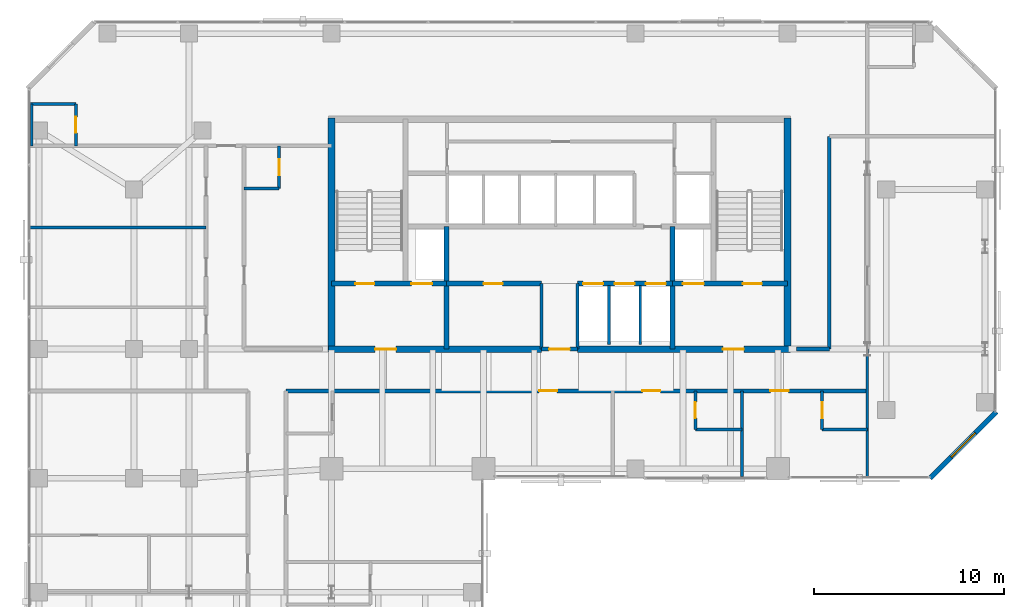
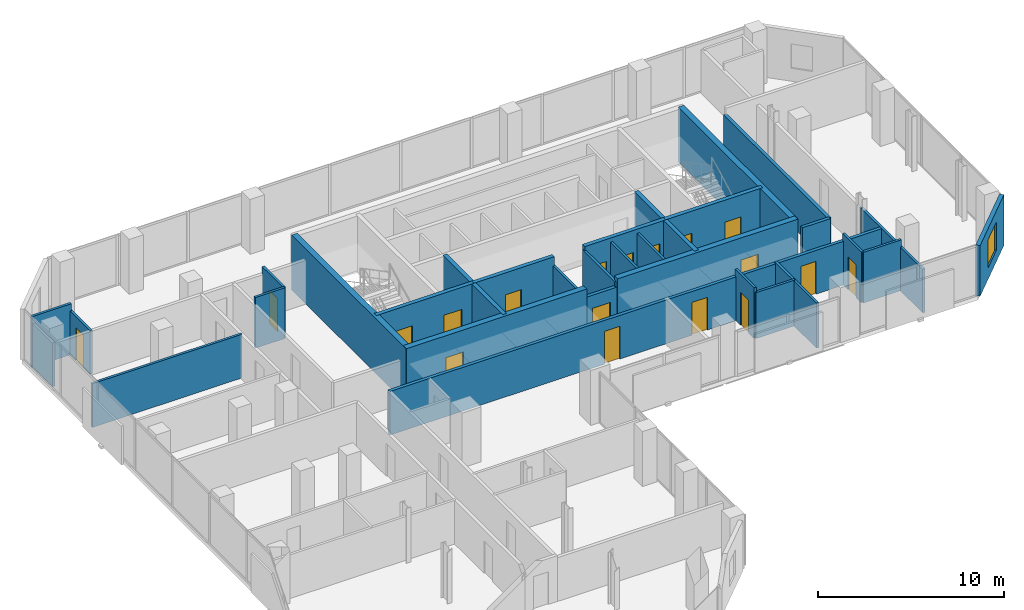
# One storey, part 29 of 34: 31 walls, 18 doors, 1 window, 19 openings.
"""IFC4 building model written with IfcOpenShell, lengths in metres."""

from ifc_helpers import new_model, si_unit, direction, frame, frame_2d, origin, place, context, subcontext, project, spatial, rectangle, extrude, material, layer, layer_set, type_object, element, fill, save


model = new_model("IFC4")

# Units and contexts
model_context = context("Model", 3, precision=1e-05, world=origin(), true_north=direction((0.0, 1.0)))
body_context = subcontext(model_context, "Body", "Model", "MODEL_VIEW")
ifc_project = project(units=[si_unit("LENGTHUNIT", "METRE"), si_unit("AREAUNIT", "SQUARE_METRE"), si_unit("VOLUMEUNIT", "CUBIC_METRE"), si_unit("PLANEANGLEUNIT", "RADIAN"), si_unit("MASSUNIT", "GRAM", prefix="KILO")], contexts=[model_context])

# Site, building, storey
site_placement = place(None, origin())
site = spatial("IfcSite", under=ifc_project, at=site_placement, CompositionType="ELEMENT")
building_placement = place(site_placement, origin())
building = spatial("IfcBuilding", under=site, at=building_placement, Name="Catumbela Crestline Tower", CompositionType="ELEMENT")
storey_placement = place(building_placement, frame((0.0, 0.0, 111.6)))
storey = spatial("IfcBuildingStorey", under=building, at=storey_placement, Name="L28", CompositionType="ELEMENT", Elevation=111.6)

# Walls
ifc_material_1 = material(Name="Concrete C50/60", Category="concrete")
ifc_layer_1 = layer(ifc_material_1, 0.25, Name="Concrete C50/60")
ifc_layer_set_1 = layer_set([ifc_layer_1], Name="Concrete C50/60")
wall_type_1 = type_object("IfcWallType", Name="CW-250D", PredefinedType="SHEAR", material=ifc_layer_set_1)
for number, where, z_axis, x_axis, name in (
    (1, (22.05, 30.8, 0.0), (0.0, 0.0, 1.0), (0.0, 1.0, 0.0), "L28 Structural Core Shear Wall FFW"),
    (2, (33.95, 30.8, 0.0), (0.0, 0.0, 1.0), (0.0, 1.0, 0.0), "L28 Structural Core Shear Wall FFE"),
):
    element("IfcWall", number, at=place(storey_placement, frame(where, z_axis=z_axis, x_axis=x_axis)), inside=storey, type_object=wall_type_1, Name=name, PredefinedType="SHEAR", context=body_context, shape_type="SweptSolid", body=[
        extrude(rectangle(XDim=6.45, YDim=0.25, at=frame_2d((3.225, 0.0))), origin(), (0.0, 0.0, 1.0), 3.6),
    ])

# Wall, openings, doors
wall_1_placement = place(storey_placement, frame((16.0, 34.25, 0.0), z_axis=(0.0, 0.0, 1.0), x_axis=(1.0, 0.0, 0.0)))
wall_1 = element("IfcWall", 3, at=wall_1_placement, inside=storey, type_object=wall_type_1, Name="L28 Structural Core Shear Wall ST1S", PredefinedType="SHEAR", context=body_context, shape_type="SweptSolid", body=[
    extrude(rectangle(XDim=6.05, YDim=0.25, at=frame_2d((3.025, 0.0))), origin(), (0.0, 0.0, 1.0), 3.6),
])
opening_1_placement = place(wall_1_placement, frame((1.25, 0.0, 0.0)))
opening_1 = element("IfcOpeningElement", 4, at=opening_1_placement, cuts=wall_1, Name="Opening DF9-100", PredefinedType="OPENING", context=body_context, shape_type="SweptSolid", body=[
    extrude(rectangle(XDim=1.0, YDim=2.15, at=frame_2d((0.5, 1.075))), frame((0.0, 0.135, 0.0), z_axis=(0.0, -1.0, 0.0), x_axis=(1.0, 0.0, 0.0)), (0.0, 0.0, 1.0), 0.27),
])
opening_2_placement = place(wall_1_placement, frame((4.2, 0.0, 0.0)))
opening_2 = element("IfcOpeningElement", 5, at=opening_2_placement, cuts=wall_1, Name="Opening LD-110", PredefinedType="OPENING", context=body_context, shape_type="SweptSolid", body=[
    extrude(rectangle(XDim=1.1, YDim=2.15, at=frame_2d((0.55, 1.075))), frame((0.0, 0.135, 0.0), z_axis=(0.0, -1.0, 0.0), x_axis=(1.0, 0.0, 0.0)), (0.0, 0.0, 1.0), 0.27),
])
ifc_material_2 = material(Name="Stainless steel EN 1.4401", Category="steel")
door_type_1 = type_object("IfcDoorType", Name="DF9-100", OperationType="NOTDEFINED", PredefinedType="DOOR", material=ifc_material_2)
door_1_placement = place(opening_1_placement, origin())
door_1 = element("IfcDoor", 6, at=door_1_placement, inside=storey, type_object=door_type_1, Name="L28 Interior Door DR-L28-ST01", OperationType="SINGLE_SWING_LEFT", OverallHeight=2.15, OverallWidth=1.0, PredefinedType="DOOR", context=body_context, shape_type="SweptSolid", body=[
    extrude(rectangle(XDim=1.0, YDim=2.15, at=frame_2d((0.5, 1.075))), frame((0.0, 0.025, 0.0), z_axis=(0.0, -1.0, 0.0), x_axis=(1.0, 0.0, 0.0)), (0.0, 0.0, 1.0), 0.05),
])
fill(opening_1, door_1)
door_type_2 = type_object("IfcDoorType", Name="LD-110", OperationType="NOTDEFINED", PredefinedType="DOOR", material=ifc_material_2)
door_2_placement = place(opening_2_placement, origin())
door_2 = element("IfcDoor", 7, at=door_2_placement, inside=storey, type_object=door_type_2, Name="L28 Lift Landing Sliding Door FL-01", OperationType="DOUBLE_DOOR_SLIDING", OverallHeight=2.15, OverallWidth=1.1, PredefinedType="DOOR", context=body_context, shape_type="SweptSolid", body=[
    extrude(rectangle(XDim=1.1, YDim=2.15, at=frame_2d((0.55, 1.075))), frame((0.0, 0.025, 0.0), z_axis=(0.0, -1.0, 0.0), x_axis=(1.0, 0.0, 0.0)), (0.0, 0.0, 1.0), 0.05),
])
fill(opening_2, door_2)

wall_2_placement = place(storey_placement, frame((33.95, 34.25, 0.0), z_axis=(0.0, 0.0, 1.0), x_axis=(1.0, 0.0, 0.0)))
wall_2 = element("IfcWall", 8, at=wall_2_placement, inside=storey, type_object=wall_type_1, Name="L28 Structural Core Shear Wall ST2S", PredefinedType="SHEAR", context=body_context, shape_type="SweptSolid", body=[
    extrude(rectangle(XDim=6.05, YDim=0.25, at=frame_2d((3.025, 0.0))), origin(), (0.0, 0.0, 1.0), 3.6),
])
opening_3_placement = place(wall_2_placement, frame((3.7, 0.0, 0.0)))
opening_3 = element("IfcOpeningElement", 9, at=opening_3_placement, cuts=wall_2, Name="Opening DF9-100", PredefinedType="OPENING", context=body_context, shape_type="SweptSolid", body=[
    extrude(rectangle(XDim=1.0, YDim=2.15, at=frame_2d((0.5, 1.075))), frame((0.0, 0.135, 0.0), z_axis=(0.0, -1.0, 0.0), x_axis=(1.0, 0.0, 0.0)), (0.0, 0.0, 1.0), 0.27),
])
opening_4_placement = place(wall_2_placement, frame((0.55, 0.0, 0.0)))
opening_4 = element("IfcOpeningElement", 10, at=opening_4_placement, cuts=wall_2, Name="Opening LD-110", PredefinedType="OPENING", context=body_context, shape_type="SweptSolid", body=[
    extrude(rectangle(XDim=1.1, YDim=2.15, at=frame_2d((0.55, 1.075))), frame((0.0, 0.135, 0.0), z_axis=(0.0, -1.0, 0.0), x_axis=(1.0, 0.0, 0.0)), (0.0, 0.0, 1.0), 0.27),
])
door_3_placement = place(opening_3_placement, origin())
door_3 = element("IfcDoor", 11, at=door_3_placement, inside=storey, type_object=door_type_1, Name="L28 Interior Door DR-L28-ST02", OperationType="SINGLE_SWING_RIGHT", OverallHeight=2.15, OverallWidth=1.0, PredefinedType="DOOR", context=body_context, shape_type="SweptSolid", body=[
    extrude(rectangle(XDim=1.0, YDim=2.15, at=frame_2d((0.5, 1.075))), frame((0.0, 0.025, 0.0), z_axis=(0.0, -1.0, 0.0), x_axis=(1.0, 0.0, 0.0)), (0.0, 0.0, 1.0), 0.05),
])
fill(opening_3, door_3)
door_4_placement = place(opening_4_placement, origin())
door_4 = element("IfcDoor", 12, at=door_4_placement, inside=storey, type_object=door_type_2, Name="L28 Lift Landing Sliding Door FL-02", OperationType="DOUBLE_DOOR_SLIDING", OverallHeight=2.15, OverallWidth=1.1, PredefinedType="DOOR", context=body_context, shape_type="SweptSolid", body=[
    extrude(rectangle(XDim=1.1, YDim=2.15, at=frame_2d((0.55, 1.075))), frame((0.0, 0.025, 0.0), z_axis=(0.0, -1.0, 0.0), x_axis=(1.0, 0.0, 0.0)), (0.0, 0.0, 1.0), 0.05),
])
fill(opening_4, door_4)

# Wall, opening, door
wall_3_placement = place(storey_placement, frame((22.05, 34.25, 0.0), z_axis=(0.0, 0.0, 1.0), x_axis=(1.0, 0.0, 0.0)))
wall_3 = element("IfcWall", 13, at=wall_3_placement, inside=storey, type_object=wall_type_1, Name="L28 Structural Core Shear Wall LIFTS-W", PredefinedType="SHEAR", context=body_context, shape_type="SweptSolid", body=[
    extrude(rectangle(XDim=5.0, YDim=0.25, at=frame_2d((2.5, 0.0))), origin(), (0.0, 0.0, 1.0), 3.6),
])
opening_5_placement = place(wall_3_placement, frame((1.95, 0.0, 0.0)))
opening_5 = element("IfcOpeningElement", 14, at=opening_5_placement, cuts=wall_3, Name="Opening DF9-100", PredefinedType="OPENING", context=body_context, shape_type="SweptSolid", body=[
    extrude(rectangle(XDim=1.0, YDim=2.15, at=frame_2d((0.5, 1.075))), frame((0.0, 0.135, 0.0), z_axis=(0.0, -1.0, 0.0), x_axis=(1.0, 0.0, 0.0)), (0.0, 0.0, 1.0), 0.27),
])
door_5_placement = place(opening_5_placement, origin())
door_5 = element("IfcDoor", 15, at=door_5_placement, inside=storey, type_object=door_type_1, Name="L28 Interior Door DR-L28-RECL1", OperationType="SINGLE_SWING_LEFT", OverallHeight=2.15, OverallWidth=1.0, PredefinedType="DOOR", context=body_context, shape_type="SweptSolid", body=[
    extrude(rectangle(XDim=1.0, YDim=2.15, at=frame_2d((0.5, 1.075))), frame((0.0, 0.025, 0.0), z_axis=(0.0, -1.0, 0.0), x_axis=(1.0, 0.0, 0.0)), (0.0, 0.0, 1.0), 0.05),
])
fill(opening_5, door_5)

# Wall, openings, doors
wall_4_placement = place(storey_placement, frame((28.95, 34.25, 0.0), z_axis=(0.0, 0.0, 1.0), x_axis=(1.0, 0.0, 0.0)))
wall_4 = element("IfcWall", 16, at=wall_4_placement, inside=storey, type_object=wall_type_1, Name="L28 Structural Core Shear Wall LIFTS-E", PredefinedType="SHEAR", context=body_context, shape_type="SweptSolid", body=[
    extrude(rectangle(XDim=5.0, YDim=0.25, at=frame_2d((2.5, 0.0))), origin(), (0.0, 0.0, 1.0), 3.6),
])
opening_6_placement = place(wall_4_placement, frame((0.3, 0.0, 0.0)))
opening_6 = element("IfcOpeningElement", 17, at=opening_6_placement, cuts=wall_4, Name="Opening LD-105", PredefinedType="OPENING", context=body_context, shape_type="SweptSolid", body=[
    extrude(rectangle(XDim=1.05, YDim=2.15, at=frame_2d((0.525, 1.075))), frame((0.0, 0.135, 0.0), z_axis=(0.0, -1.0, 0.0), x_axis=(1.0, 0.0, 0.0)), (0.0, 0.0, 1.0), 0.27),
])
opening_7_placement = place(wall_4_placement, frame((1.95, 0.0, 0.0)))
opening_7 = element("IfcOpeningElement", 18, at=opening_7_placement, cuts=wall_4, Name="Opening LD-105", PredefinedType="OPENING", context=body_context, shape_type="SweptSolid", body=[
    extrude(rectangle(XDim=1.05, YDim=2.15, at=frame_2d((0.525, 1.075))), frame((0.0, 0.135, 0.0), z_axis=(0.0, -1.0, 0.0), x_axis=(1.0, 0.0, 0.0)), (0.0, 0.0, 1.0), 0.27),
])
opening_8_placement = place(wall_4_placement, frame((3.6, 0.0, 0.0)))
opening_8 = element("IfcOpeningElement", 19, at=opening_8_placement, cuts=wall_4, Name="Opening LD-105", PredefinedType="OPENING", context=body_context, shape_type="SweptSolid", body=[
    extrude(rectangle(XDim=1.05, YDim=2.15, at=frame_2d((0.525, 1.075))), frame((0.0, 0.135, 0.0), z_axis=(0.0, -1.0, 0.0), x_axis=(1.0, 0.0, 0.0)), (0.0, 0.0, 1.0), 0.27),
])
door_type_3 = type_object("IfcDoorType", Name="LD-105", OperationType="NOTDEFINED", PredefinedType="DOOR", material=ifc_material_2)
door_6_placement = place(opening_6_placement, origin())
door_6 = element("IfcDoor", 20, at=door_6_placement, inside=storey, type_object=door_type_3, Name="L28 Lift Landing Sliding Door PL-M1", OperationType="DOUBLE_DOOR_SLIDING", OverallHeight=2.15, OverallWidth=1.05, PredefinedType="DOOR", context=body_context, shape_type="SweptSolid", body=[
    extrude(rectangle(XDim=1.05, YDim=2.15, at=frame_2d((0.525, 1.075))), frame((0.0, 0.025, 0.0), z_axis=(0.0, -1.0, 0.0), x_axis=(1.0, 0.0, 0.0)), (0.0, 0.0, 1.0), 0.05),
])
fill(opening_6, door_6)
door_7_placement = place(opening_7_placement, origin())
door_7 = element("IfcDoor", 21, at=door_7_placement, inside=storey, type_object=door_type_3, Name="L28 Lift Landing Sliding Door PL-M2", OperationType="DOUBLE_DOOR_SLIDING", OverallHeight=2.15, OverallWidth=1.05, PredefinedType="DOOR", context=body_context, shape_type="SweptSolid", body=[
    extrude(rectangle(XDim=1.05, YDim=2.15, at=frame_2d((0.525, 1.075))), frame((0.0, 0.025, 0.0), z_axis=(0.0, -1.0, 0.0), x_axis=(1.0, 0.0, 0.0)), (0.0, 0.0, 1.0), 0.05),
])
fill(opening_7, door_7)
door_8_placement = place(opening_8_placement, origin())
door_8 = element("IfcDoor", 22, at=door_8_placement, inside=storey, type_object=door_type_3, Name="L28 Lift Landing Sliding Door PL-M3", OperationType="DOUBLE_DOOR_SLIDING", OverallHeight=2.15, OverallWidth=1.05, PredefinedType="DOOR", context=body_context, shape_type="SweptSolid", body=[
    extrude(rectangle(XDim=1.05, YDim=2.15, at=frame_2d((0.525, 1.075))), frame((0.0, 0.025, 0.0), z_axis=(0.0, -1.0, 0.0), x_axis=(1.0, 0.0, 0.0)), (0.0, 0.0, 1.0), 0.05),
])
fill(opening_8, door_8)

# Walls
ifc_layer_2 = layer(ifc_material_1, 0.35, Name="Concrete C50/60")
ifc_layer_set_2 = layer_set([ifc_layer_2], Name="Concrete C50/60")
wall_type_2 = type_object("IfcWallType", Name="CW-350B", PredefinedType="SHEAR", material=ifc_layer_set_2)
for number, where, z_axis, x_axis, name in (
    (23, (16.0, 30.65, 0.0), (0.0, 0.0, 1.0), (0.0, 1.0, 0.0), "L28 Structural Core Shear Wall W"),
    (24, (40.0, 30.65, 0.0), (0.0, 0.0, 1.0), (0.0, 1.0, 0.0), "L28 Structural Core Shear Wall E"),
):
    element("IfcWall", number, at=place(storey_placement, frame(where, z_axis=z_axis, x_axis=x_axis)), inside=storey, type_object=wall_type_2, Name=name, PredefinedType="SHEAR", context=body_context, shape_type="SweptSolid", body=[
        extrude(rectangle(XDim=12.3, YDim=0.35, at=frame_2d((6.15, 0.0))), origin(), (0.0, 0.0, 1.0), 3.6),
    ])

# Wall, opening, door
wall_5_placement = place(storey_placement, frame((15.85, 30.8, 0.0), z_axis=(0.0, 0.0, 1.0), x_axis=(1.0, 0.0, 0.0)))
wall_5 = element("IfcWall", 25, at=wall_5_placement, inside=storey, type_object=wall_type_2, Name="L28 Structural Core Shear Wall SW", PredefinedType="SHEAR", context=body_context, shape_type="SweptSolid", body=[
    extrude(rectangle(XDim=11.2, YDim=0.35, at=frame_2d((5.6, 0.0))), origin(), (0.0, 0.0, 1.0), 3.6),
])
opening_9_placement = place(wall_5_placement, frame((2.45, 0.0, 0.0)))
opening_9 = element("IfcOpeningElement", 26, at=opening_9_placement, cuts=wall_5, Name="Opening DF9-110", PredefinedType="OPENING", context=body_context, shape_type="SweptSolid", body=[
    extrude(rectangle(XDim=1.1, YDim=2.15, at=frame_2d((0.55, 1.075))), frame((0.0, 0.185, 0.0), z_axis=(0.0, -1.0, 0.0), x_axis=(1.0, 0.0, 0.0)), (0.0, 0.0, 1.0), 0.37),
])
door_type_4 = type_object("IfcDoorType", Name="DF9-110", OperationType="NOTDEFINED", PredefinedType="DOOR", material=ifc_material_2)
door_9_placement = place(opening_9_placement, origin())
door_9 = element("IfcDoor", 27, at=door_9_placement, inside=storey, type_object=door_type_4, Name="L28 Interior Door DR-L28-FFW-S", OperationType="SINGLE_SWING_LEFT", OverallHeight=2.15, OverallWidth=1.1, PredefinedType="DOOR", context=body_context, shape_type="SweptSolid", body=[
    extrude(rectangle(XDim=1.1, YDim=2.15, at=frame_2d((0.55, 1.075))), frame((0.0, 0.025, 0.0), z_axis=(0.0, -1.0, 0.0), x_axis=(1.0, 0.0, 0.0)), (0.0, 0.0, 1.0), 0.05),
])
fill(opening_9, door_9)

wall_6_placement = place(storey_placement, frame((28.95, 30.8, 0.0), z_axis=(0.0, 0.0, 1.0), x_axis=(1.0, 0.0, 0.0)))
wall_6 = element("IfcWall", 28, at=wall_6_placement, inside=storey, type_object=wall_type_2, Name="L28 Structural Core Shear Wall SE", PredefinedType="SHEAR", context=body_context, shape_type="SweptSolid", body=[
    extrude(rectangle(XDim=11.2, YDim=0.35, at=frame_2d((5.6, 0.0))), origin(), (0.0, 0.0, 1.0), 3.6),
])
opening_10_placement = place(wall_6_placement, frame((7.65, 0.0, 0.0)))
opening_10 = element("IfcOpeningElement", 29, at=opening_10_placement, cuts=wall_6, Name="Opening DF9-110", PredefinedType="OPENING", context=body_context, shape_type="SweptSolid", body=[
    extrude(rectangle(XDim=1.1, YDim=2.15, at=frame_2d((0.55, 1.075))), frame((0.0, 0.185, 0.0), z_axis=(0.0, -1.0, 0.0), x_axis=(1.0, 0.0, 0.0)), (0.0, 0.0, 1.0), 0.37),
])
door_10_placement = place(opening_10_placement, origin())
door_10 = element("IfcDoor", 30, at=door_10_placement, inside=storey, type_object=door_type_4, Name="L28 Interior Door DR-L28-FFE-S", OperationType="SINGLE_SWING_RIGHT", OverallHeight=2.15, OverallWidth=1.1, PredefinedType="DOOR", context=body_context, shape_type="SweptSolid", body=[
    extrude(rectangle(XDim=1.1, YDim=2.15, at=frame_2d((0.55, 1.075))), frame((0.0, 0.025, 0.0), z_axis=(0.0, -1.0, 0.0), x_axis=(1.0, 0.0, 0.0)), (0.0, 0.0, 1.0), 0.05),
])
fill(opening_10, door_10)

ifc_material_3 = material(Name="Acoustic gypsum and mineral-wool partition")
ifc_layer_3 = layer(ifc_material_3, 0.2, Name="Acoustic gypsum and mineral-wool partition")
ifc_layer_set_3 = layer_set([ifc_layer_3], Name="Acoustic gypsum and mineral-wool partition")
wall_type_3 = type_object("IfcWallType", Name="WC-200", PredefinedType="PARTITIONING", material=ifc_layer_set_3)
wall_7_placement = place(storey_placement, frame((27.05, 30.8, 0.0), z_axis=(0.0, 0.0, 1.0), x_axis=(1.0, 0.0, 0.0)))
wall_7 = element("IfcWall", 31, at=wall_7_placement, inside=storey, type_object=wall_type_3, Name="L28 Interior Partition PW-L28-CLOBS", PredefinedType="PARTITIONING", context=body_context, shape_type="SweptSolid", body=[
    extrude(rectangle(XDim=1.9, YDim=0.2, at=frame_2d((0.95, 0.0))), origin(), (0.0, 0.0, 1.0), 3.01),
])
opening_11_placement = place(wall_7_placement, frame((0.4, 0.0, 0.0)))
opening_11 = element("IfcOpeningElement", 32, at=opening_11_placement, cuts=wall_7, Name="Opening DF9-110", PredefinedType="OPENING", context=body_context, shape_type="SweptSolid", body=[
    extrude(rectangle(XDim=1.1, YDim=2.15, at=frame_2d((0.55, 1.075))), frame((0.0, 0.11, 0.0), z_axis=(0.0, -1.0, 0.0), x_axis=(1.0, 0.0, 0.0)), (0.0, 0.0, 1.0), 0.22),
])
door_11_placement = place(opening_11_placement, origin())
door_11 = element("IfcDoor", 33, at=door_11_placement, inside=storey, type_object=door_type_4, Name="L28 Interior Door DR-L28-CLOBS", OperationType="SINGLE_SWING_LEFT", OverallHeight=2.15, OverallWidth=1.1, PredefinedType="DOOR", context=body_context, shape_type="SweptSolid", body=[
    extrude(rectangle(XDim=1.1, YDim=2.15, at=frame_2d((0.55, 1.075))), frame((0.0, 0.025, 0.0), z_axis=(0.0, -1.0, 0.0), x_axis=(1.0, 0.0, 0.0)), (0.0, 0.0, 1.0), 0.05),
])
fill(opening_11, door_11)

# Wall, openings, doors
wall_8_placement = place(storey_placement, frame((13.6, 28.6, 0.0), z_axis=(0.0, 0.0, 1.0), x_axis=(1.0, 0.0, 0.0)))
wall_8 = element("IfcWall", 34, at=wall_8_placement, inside=storey, type_object=wall_type_3, Name="L28 Interior Partition PW-L28-Z2CW-N2", PredefinedType="PARTITIONING", context=body_context, shape_type="SweptSolid", body=[
    extrude(rectangle(XDim=30.6, YDim=0.2, at=frame_2d((15.3, 0.0))), origin(), (0.0, 0.0, 1.0), 2.87),
])
opening_12_placement = place(wall_8_placement, frame((13.325, 0.0, 0.0)))
opening_12 = element("IfcOpeningElement", 35, at=opening_12_placement, cuts=wall_8, Name="Opening DF6-095", PredefinedType="OPENING", context=body_context, shape_type="SweptSolid", body=[
    extrude(rectangle(XDim=0.95, YDim=2.15, at=frame_2d((0.475, 1.075))), frame((0.0, 0.11, 0.0), z_axis=(0.0, -1.0, 0.0), x_axis=(1.0, 0.0, 0.0)), (0.0, 0.0, 1.0), 0.22),
])
opening_13_placement = place(wall_8_placement, frame((18.7609, 0.0, 0.0)))
opening_13 = element("IfcOpeningElement", 36, at=opening_13_placement, cuts=wall_8, Name="Opening DF6-095", PredefinedType="OPENING", context=body_context, shape_type="SweptSolid", body=[
    extrude(rectangle(XDim=0.95, YDim=2.15, at=frame_2d((0.475, 1.075))), frame((0.0, 0.11, 0.0), z_axis=(0.0, -1.0, 0.0), x_axis=(1.0, 0.0, 0.0)), (0.0, 0.0, 1.0), 0.22),
])
opening_14_placement = place(wall_8_placement, frame((25.5033, 0.0, 0.0)))
opening_14 = element("IfcOpeningElement", 37, at=opening_14_placement, cuts=wall_8, Name="Opening DF6-095", PredefinedType="OPENING", context=body_context, shape_type="SweptSolid", body=[
    extrude(rectangle(XDim=0.95, YDim=2.15, at=frame_2d((0.475, 1.075))), frame((0.0, 0.11, 0.0), z_axis=(0.0, -1.0, 0.0), x_axis=(1.0, 0.0, 0.0)), (0.0, 0.0, 1.0), 0.22),
])
ifc_material_4 = material(Name="Aluminium alloy AW-6060-T66", Category="aluminium")
door_type_5 = type_object("IfcDoorType", Name="DF6-095", OperationType="NOTDEFINED", PredefinedType="DOOR", material=ifc_material_4)
door_12_placement = place(opening_12_placement, origin())
door_12 = element("IfcDoor", 38, at=door_12_placement, inside=storey, type_object=door_type_5, Name="L28 Interior Door DR-L28-SS1-ENT", OperationType="SINGLE_SWING_RIGHT", OverallHeight=2.15, OverallWidth=0.95, PredefinedType="DOOR", context=body_context, shape_type="SweptSolid", body=[
    extrude(rectangle(XDim=0.95, YDim=2.15, at=frame_2d((0.475, 1.075))), frame((0.0, 0.025, 0.0), z_axis=(0.0, -1.0, 0.0), x_axis=(1.0, 0.0, 0.0)), (0.0, 0.0, 1.0), 0.05),
])
fill(opening_12, door_12)
door_13_placement = place(opening_13_placement, origin())
door_13 = element("IfcDoor", 39, at=door_13_placement, inside=storey, type_object=door_type_5, Name="L28 Interior Door DR-L28-SS2-ENT", OperationType="SINGLE_SWING_LEFT", OverallHeight=2.15, OverallWidth=0.95, PredefinedType="DOOR", context=body_context, shape_type="SweptSolid", body=[
    extrude(rectangle(XDim=0.95, YDim=2.15, at=frame_2d((0.475, 1.075))), frame((0.0, 0.025, 0.0), z_axis=(0.0, -1.0, 0.0), x_axis=(1.0, 0.0, 0.0)), (0.0, 0.0, 1.0), 0.05),
])
fill(opening_13, door_13)
door_14_placement = place(opening_14_placement, origin())
door_14 = element("IfcDoor", 40, at=door_14_placement, inside=storey, type_object=door_type_5, Name="L28 Interior Door DR-L28-SS3-ENT", OperationType="SINGLE_SWING_RIGHT", OverallHeight=2.15, OverallWidth=0.95, PredefinedType="DOOR", context=body_context, shape_type="SweptSolid", body=[
    extrude(rectangle(XDim=0.95, YDim=2.15, at=frame_2d((0.475, 1.075))), frame((0.0, 0.025, 0.0), z_axis=(0.0, -1.0, 0.0), x_axis=(1.0, 0.0, 0.0)), (0.0, 0.0, 1.0), 0.05),
])
fill(opening_14, door_14)

# Walls
wall_9_placement = place(storey_placement, frame((40.47, 30.8, 0.0), z_axis=(0.0, 0.0, 1.0), x_axis=(1.0, 0.0, 0.0)))
element("IfcWall", 41, at=wall_9_placement, inside=storey, type_object=wall_type_3, Name="L28 Interior Partition PW-L28-Z2CW-E1", PredefinedType="PARTITIONING", context=body_context, shape_type="SweptSolid", body=[
    extrude(rectangle(XDim=1.73, YDim=0.2, at=frame_2d((0.865, 0.0))), origin(), (0.0, 0.0, 1.0), 2.87),
])
wall_10_placement = place(storey_placement, frame((42.2, 30.8, 0.0), z_axis=(0.0, 0.0, 1.0), x_axis=(0.0, 1.0, 0.0)))
element("IfcWall", 42, at=wall_10_placement, inside=storey, type_object=wall_type_3, Name="L28 Interior Partition PW-L28-Z2CW-E2", PredefinedType="PARTITIONING", context=body_context, shape_type="SweptSolid", body=[
    extrude(rectangle(XDim=11.2, YDim=0.2, at=frame_2d((5.6, 0.0))), origin(), (0.0, 0.0, 1.0), 2.87),
])

# Wall, opening, window
ifc_material_5 = material(Name="Angolan grey-ochre granite", Category="masonry")
ifc_layer_4 = layer(ifc_material_5, 0.25, Name="Angolan grey-ochre granite")
ifc_layer_set_4 = layer_set([ifc_layer_4], Name="Angolan grey-ochre granite")
wall_type_4 = type_object("IfcWallType", Name="WE-250", PredefinedType="STANDARD", material=ifc_layer_set_4)
wall_11_placement = place(storey_placement, frame((47.5, 24.0, 0.0), z_axis=(0.0, 0.0, 1.0), x_axis=(0.707106781187, 0.707106781187, 0.0)))
wall_11 = element("IfcWall", 43, at=wall_11_placement, inside=storey, type_object=wall_type_4, Name="L28 Granite Punched Window Wall 4-1", PredefinedType="STANDARD", context=body_context, shape_type="SweptSolid", body=[
    extrude(rectangle(XDim=4.9497, YDim=0.25, at=frame_2d((2.4748, 0.0))), origin(), (0.0, 0.0, 1.0), 3.33),
])
opening_15_placement = place(wall_11_placement, frame((1.5749, 0.0, 0.75)))
opening_15 = element("IfcOpeningElement", 44, at=opening_15_placement, cuts=wall_11, Name="Opening WN-01", PredefinedType="OPENING", context=body_context, shape_type="SweptSolid", body=[
    extrude(rectangle(XDim=1.8, YDim=1.85, at=frame_2d((0.9, 0.925))), frame((0.0, 0.135, 0.0), z_axis=(0.0, -1.0, 0.0), x_axis=(1.0, 0.0, 0.0)), (0.0, 0.0, 1.0), 0.27),
])
ifc_material_6 = material(Name="Low-E laminated solar-control double glazing", Category="glass")
window_type = type_object("IfcWindowType", Name="WF-1800", PartitioningType="SINGLE_PANEL", PredefinedType="WINDOW", material=ifc_material_6)
window_placement = place(opening_15_placement, origin())
window = element("IfcWindow", 45, at=window_placement, inside=storey, type_object=window_type, Name="L28 Facade Vision Window 161", OverallHeight=1.85, OverallWidth=1.8, PartitioningType="SINGLE_PANEL", PredefinedType="WINDOW", context=body_context, shape_type="SweptSolid", body=[
    extrude(rectangle(XDim=1.8, YDim=1.85, at=frame_2d((0.9, 0.925))), frame((0.0, 0.03, 0.0), z_axis=(0.0, -1.0, 0.0), x_axis=(1.0, 0.0, 0.0)), (0.0, 0.0, 1.0), 0.06),
])
fill(opening_15, window)

# Wall
ifc_layer_5 = layer(ifc_material_3, 0.15, Name="Acoustic gypsum and mineral-wool partition")
ifc_layer_set_5 = layer_set([ifc_layer_5], Name="Acoustic gypsum and mineral-wool partition")
wall_type_5 = type_object("IfcWallType", Name="WP-150", PredefinedType="PARTITIONING", material=ifc_layer_set_5)
wall_12_placement = place(storey_placement, frame((0.1, 43.7, 0.0), z_axis=(0.0, 0.0, 1.0), x_axis=(1.0, 0.0, 0.0)))
element("IfcWall", 46, at=wall_12_placement, inside=storey, type_object=wall_type_5, Name="L28 Interior Partition PW-L28-Z2NWT-BHW", PredefinedType="PARTITIONING", context=body_context, shape_type="SweptSolid", body=[
    extrude(rectangle(XDim=2.45, YDim=0.15, at=frame_2d((1.225, 0.0))), origin(), (0.0, 0.0, 1.0), 3.33),
])

# Wall, opening, door
wall_13_placement = place(storey_placement, frame((2.55, 41.5, 0.0), z_axis=(0.0, 0.0, 1.0), x_axis=(0.0, 1.0, 0.0)))
wall_13 = element("IfcWall", 47, at=wall_13_placement, inside=storey, type_object=wall_type_5, Name="L28 Interior Partition PW-L28-Z2NWT-BEW", PredefinedType="PARTITIONING", context=body_context, shape_type="SweptSolid", body=[
    extrude(rectangle(XDim=2.2, YDim=0.15, at=frame_2d((1.1, 0.0))), origin(), (0.0, 0.0, 1.0), 2.87),
])
opening_16_placement = place(wall_13_placement, frame((0.675, 0.0, 0.0)))
opening_16 = element("IfcOpeningElement", 48, at=opening_16_placement, cuts=wall_13, Name="Opening DI-085", PredefinedType="OPENING", context=body_context, shape_type="SweptSolid", body=[
    extrude(rectangle(XDim=0.85, YDim=2.15, at=frame_2d((0.425, 1.075))), frame((0.0, 0.085, 0.0), z_axis=(0.0, -1.0, 0.0), x_axis=(1.0, 0.0, 0.0)), (0.0, 0.0, 1.0), 0.17),
])
door_type_6 = type_object("IfcDoorType", Name="DI-085", OperationType="NOTDEFINED", PredefinedType="DOOR", material=ifc_material_4)
door_15_placement = place(opening_16_placement, origin())
door_15 = element("IfcDoor", 49, at=door_15_placement, inside=storey, type_object=door_type_6, Name="L28 Interior Door DR-L28-Z2NWT-BTH", OperationType="SINGLE_SWING_LEFT", OverallHeight=2.15, OverallWidth=0.85, PredefinedType="DOOR", context=body_context, shape_type="SweptSolid", body=[
    extrude(rectangle(XDim=0.85, YDim=2.15, at=frame_2d((0.425, 1.075))), frame((0.0, 0.025, 0.0), z_axis=(0.0, -1.0, 0.0), x_axis=(1.0, 0.0, 0.0)), (0.0, 0.0, 1.0), 0.05),
])
fill(opening_16, door_15)

# Walls
wall_14_placement = place(storey_placement, frame((0.22, 41.5, 0.0), z_axis=(0.0, 0.0, 1.0), x_axis=(0.0, 1.0, 0.0)))
element("IfcWall", 50, at=wall_14_placement, inside=storey, type_object=wall_type_5, Name="L28 Interior Partition PW-L28-Z2NWT-BCL-2", PredefinedType="PARTITIONING", context=body_context, shape_type="SweptSolid", body=[
    extrude(rectangle(XDim=2.2, YDim=0.15, at=frame_2d((1.1, 0.0))), origin(), (0.0, 0.0, 1.0), 2.87),
])
wall_15_placement = place(storey_placement, frame((0.1, 37.2, 0.0), z_axis=(0.0, 0.0, 1.0), x_axis=(1.0, 0.0, 0.0)))
element("IfcWall", 51, at=wall_15_placement, inside=storey, type_object=wall_type_5, Name="L28 Interior Partition PW-L28-Z2G2-2", PredefinedType="PARTITIONING", context=body_context, shape_type="SweptSolid", body=[
    extrude(rectangle(XDim=9.3, YDim=0.15, at=frame_2d((4.65, 0.0))), origin(), (0.0, 0.0, 1.0), 2.87),
])
wall_16_placement = place(storey_placement, frame((11.4, 39.25, 0.0), z_axis=(0.0, 0.0, 1.0), x_axis=(1.0, 0.0, 0.0)))
element("IfcWall", 52, at=wall_16_placement, inside=storey, type_object=wall_type_5, Name="L28 Interior Partition PW-L28-Z2FS1-BSW", PredefinedType="PARTITIONING", context=body_context, shape_type="SweptSolid", body=[
    extrude(rectangle(XDim=1.84, YDim=0.15, at=frame_2d((0.92, 0.0))), origin(), (0.0, 0.0, 1.0), 3.33),
])

# Wall, opening, door
wall_17_placement = place(storey_placement, frame((13.24, 39.25, 0.0), z_axis=(0.0, 0.0, 1.0), x_axis=(0.0, 1.0, 0.0)))
wall_17 = element("IfcWall", 53, at=wall_17_placement, inside=storey, type_object=wall_type_5, Name="L28 Interior Partition PW-L28-Z2FS1-BEW", PredefinedType="PARTITIONING", context=body_context, shape_type="SweptSolid", body=[
    extrude(rectangle(XDim=2.25, YDim=0.15, at=frame_2d((1.125, 0.0))), origin(), (0.0, 0.0, 1.0), 3.33),
])
opening_17_placement = place(wall_17_placement, frame((0.7, 0.0, 0.0)))
opening_17 = element("IfcOpeningElement", 54, at=opening_17_placement, cuts=wall_17, Name="Opening DI-085", PredefinedType="OPENING", context=body_context, shape_type="SweptSolid", body=[
    extrude(rectangle(XDim=0.85, YDim=2.15, at=frame_2d((0.425, 1.075))), frame((0.0, 0.085, 0.0), z_axis=(0.0, -1.0, 0.0), x_axis=(1.0, 0.0, 0.0)), (0.0, 0.0, 1.0), 0.17),
])
door_16_placement = place(opening_17_placement, origin())
door_16 = element("IfcDoor", 55, at=door_16_placement, inside=storey, type_object=door_type_6, Name="L28 Interior Door DR-L28-Z2FS1-BTH", OperationType="SINGLE_SWING_LEFT", OverallHeight=2.15, OverallWidth=0.85, PredefinedType="DOOR", context=body_context, shape_type="SweptSolid", body=[
    extrude(rectangle(XDim=0.85, YDim=2.15, at=frame_2d((0.425, 1.075))), frame((0.0, 0.025, 0.0), z_axis=(0.0, -1.0, 0.0), x_axis=(1.0, 0.0, 0.0)), (0.0, 0.0, 1.0), 0.05),
])
fill(opening_17, door_16)

# Wall
wall_18_placement = place(storey_placement, frame((35.152, 26.576, 0.0), z_axis=(0.0, 0.0, 1.0), x_axis=(1.0, 0.0, 0.0)))
element("IfcWall", 56, at=wall_18_placement, inside=storey, type_object=wall_type_5, Name="L28 Interior Partition PW-L28-SS2-BHW", PredefinedType="PARTITIONING", context=body_context, shape_type="SweptSolid", body=[
    extrude(rectangle(XDim=2.448, YDim=0.15, at=frame_2d((1.224, 0.0))), origin(), (0.0, 0.0, 1.0), 3.01),
])

# Wall, opening, door
wall_19_placement = place(storey_placement, frame((35.152, 26.576, 0.0), z_axis=(0.0, 0.0, 1.0), x_axis=(0.0, 1.0, 0.0)))
wall_19 = element("IfcWall", 57, at=wall_19_placement, inside=storey, type_object=wall_type_5, Name="L28 Interior Partition PW-L28-SS2-BWW", PredefinedType="PARTITIONING", context=body_context, shape_type="SweptSolid", body=[
    extrude(rectangle(XDim=2.024, YDim=0.15, at=frame_2d((1.012, 0.0))), origin(), (0.0, 0.0, 1.0), 3.33),
])
opening_18_placement = place(wall_19_placement, frame((0.587, 0.0, 0.0)))
opening_18 = element("IfcOpeningElement", 58, at=opening_18_placement, cuts=wall_19, Name="Opening DI-085", PredefinedType="OPENING", context=body_context, shape_type="SweptSolid", body=[
    extrude(rectangle(XDim=0.85, YDim=2.15, at=frame_2d((0.425, 1.075))), frame((0.0, 0.085, 0.0), z_axis=(0.0, -1.0, 0.0), x_axis=(1.0, 0.0, 0.0)), (0.0, 0.0, 1.0), 0.17),
])
door_17_placement = place(opening_18_placement, origin())
door_17 = element("IfcDoor", 59, at=door_17_placement, inside=storey, type_object=door_type_6, Name="L28 Interior Door DR-L28-SS2-BTH", OperationType="SINGLE_SWING_RIGHT", OverallHeight=2.15, OverallWidth=0.85, PredefinedType="DOOR", context=body_context, shape_type="SweptSolid", body=[
    extrude(rectangle(XDim=0.85, YDim=2.15, at=frame_2d((0.425, 1.075))), frame((0.0, 0.025, 0.0), z_axis=(0.0, -1.0, 0.0), x_axis=(1.0, 0.0, 0.0)), (0.0, 0.0, 1.0), 0.05),
])
fill(opening_18, door_17)

# Walls
wall_20_placement = place(storey_placement, frame((37.6, 28.6, 0.0), z_axis=(0.0, 0.0, 1.0), x_axis=(0.0, -1.0, 0.0)))
element("IfcWall", 60, at=wall_20_placement, inside=storey, type_object=wall_type_5, Name="L28 Interior Partition PW-L28-SS2-BCL-2", PredefinedType="PARTITIONING", context=body_context, shape_type="SweptSolid", body=[
    extrude(rectangle(XDim=4.5, YDim=0.15, at=frame_2d((2.25, 0.0))), origin(), (0.0, 0.0, 1.0), 2.96),
])
wall_21_placement = place(storey_placement, frame((41.824, 26.576, 0.0), z_axis=(0.0, 0.0, 1.0), x_axis=(1.0, 0.0, 0.0)))
element("IfcWall", 61, at=wall_21_placement, inside=storey, type_object=wall_type_5, Name="L28 Interior Partition PW-L28-SS3-BHW", PredefinedType="PARTITIONING", context=body_context, shape_type="SweptSolid", body=[
    extrude(rectangle(XDim=2.376, YDim=0.15, at=frame_2d((1.188, 0.0))), origin(), (0.0, 0.0, 1.0), 3.33),
])

# Wall, opening, door
wall_22_placement = place(storey_placement, frame((41.824, 26.576, 0.0), z_axis=(0.0, 0.0, 1.0), x_axis=(0.0, 1.0, 0.0)))
wall_22 = element("IfcWall", 62, at=wall_22_placement, inside=storey, type_object=wall_type_5, Name="L28 Interior Partition PW-L28-SS3-BWW", PredefinedType="PARTITIONING", context=body_context, shape_type="SweptSolid", body=[
    extrude(rectangle(XDim=2.024, YDim=0.15, at=frame_2d((1.012, 0.0))), origin(), (0.0, 0.0, 1.0), 3.33),
])
opening_19_placement = place(wall_22_placement, frame((0.587, 0.0, 0.0)))
opening_19 = element("IfcOpeningElement", 63, at=opening_19_placement, cuts=wall_22, Name="Opening DI-085", PredefinedType="OPENING", context=body_context, shape_type="SweptSolid", body=[
    extrude(rectangle(XDim=0.85, YDim=2.15, at=frame_2d((0.425, 1.075))), frame((0.0, 0.085, 0.0), z_axis=(0.0, -1.0, 0.0), x_axis=(1.0, 0.0, 0.0)), (0.0, 0.0, 1.0), 0.17),
])
door_18_placement = place(opening_19_placement, origin())
door_18 = element("IfcDoor", 64, at=door_18_placement, inside=storey, type_object=door_type_6, Name="L28 Interior Door DR-L28-SS3-BTH", OperationType="SINGLE_SWING_RIGHT", OverallHeight=2.15, OverallWidth=0.85, PredefinedType="DOOR", context=body_context, shape_type="SweptSolid", body=[
    extrude(rectangle(XDim=0.85, YDim=2.15, at=frame_2d((0.425, 1.075))), frame((0.0, 0.025, 0.0), z_axis=(0.0, -1.0, 0.0), x_axis=(1.0, 0.0, 0.0)), (0.0, 0.0, 1.0), 0.05),
])
fill(opening_19, door_18)

# Walls
wall_23_placement = place(storey_placement, frame((44.2, 30.8, 0.0), z_axis=(0.0, 0.0, 1.0), x_axis=(0.0, -1.0, 0.0)))
element("IfcWall", 65, at=wall_23_placement, inside=storey, type_object=wall_type_5, Name="L28 Interior Partition PW-L28-SS3-BCL-2", PredefinedType="PARTITIONING", context=body_context, shape_type="SweptSolid", body=[
    extrude(rectangle(XDim=6.7, YDim=0.15, at=frame_2d((3.35, 0.0))), origin(), (0.0, 0.0, 1.0), 2.87),
])
ifc_layer_6 = layer(ifc_material_3, 0.15, Name="Acoustic gypsum and mineral-wool partition")
ifc_layer_set_6 = layer_set([ifc_layer_6], Name="Acoustic gypsum and mineral-wool partition")
wall_type_6 = type_object("IfcWallType", Name="WS-150", PredefinedType="PLUMBINGWALL", material=ifc_layer_set_6)
wall_24_placement = place(storey_placement, frame((27.05, 30.8, 0.0), z_axis=(0.0, 0.0, 1.0), x_axis=(0.0, 1.0, 0.0)))
element("IfcWall", 66, at=wall_24_placement, inside=storey, type_object=wall_type_6, Name="L28 Interior Partition PW-L28-THRW", PredefinedType="PLUMBINGWALL", context=body_context, shape_type="SweptSolid", body=[
    extrude(rectangle(XDim=3.45, YDim=0.15, at=frame_2d((1.725, 0.0))), origin(), (0.0, 0.0, 1.0), 3.01),
])
wall_25_placement = place(storey_placement, frame((28.95, 30.8, 0.0), z_axis=(0.0, 0.0, 1.0), x_axis=(0.0, 1.0, 0.0)))
element("IfcWall", 67, at=wall_25_placement, inside=storey, type_object=wall_type_6, Name="L28 Interior Partition PW-L28-THRE", PredefinedType="PLUMBINGWALL", context=body_context, shape_type="SweptSolid", body=[
    extrude(rectangle(XDim=3.45, YDim=0.15, at=frame_2d((1.725, 0.0))), origin(), (0.0, 0.0, 1.0), 3.33),
])
for number, where, z_axis, x_axis, name in (
    (68, (30.6, 31.05, 0.0), (0.0, 0.0, 1.0), (0.0, 1.0, 0.0), "L28 Interior Partition PW-L28-SHM1"),
    (69, (32.25, 31.05, 0.0), (0.0, 0.0, 1.0), (0.0, 1.0, 0.0), "L28 Interior Partition PW-L28-SHM2"),
):
    element("IfcWall", number, at=place(storey_placement, frame(where, z_axis=z_axis, x_axis=x_axis)), inside=storey, type_object=wall_type_6, Name=name, PredefinedType="PLUMBINGWALL", context=body_context, shape_type="SweptSolid", body=[
        extrude(rectangle(XDim=3.1, YDim=0.15, at=frame_2d((1.55, 0.0))), origin(), (0.0, 0.0, 1.0), 3.33),
    ])

save(model, "model.ifc")
